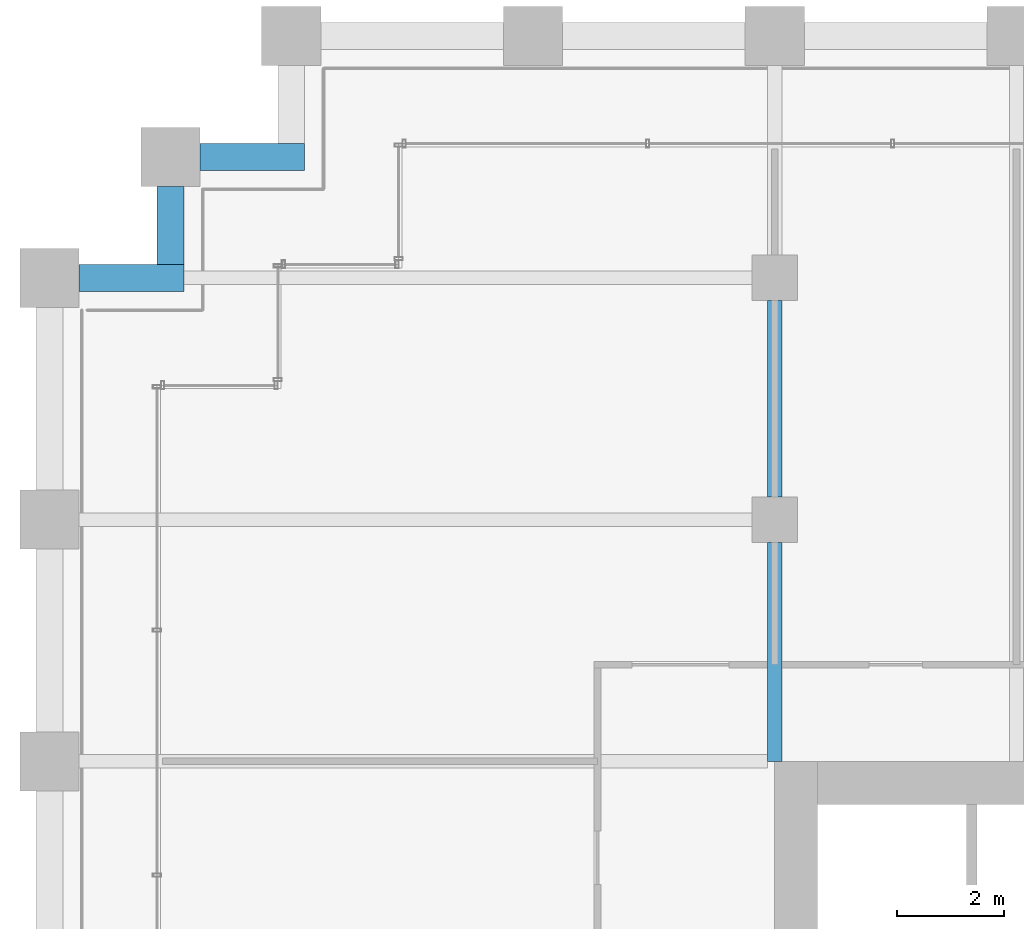
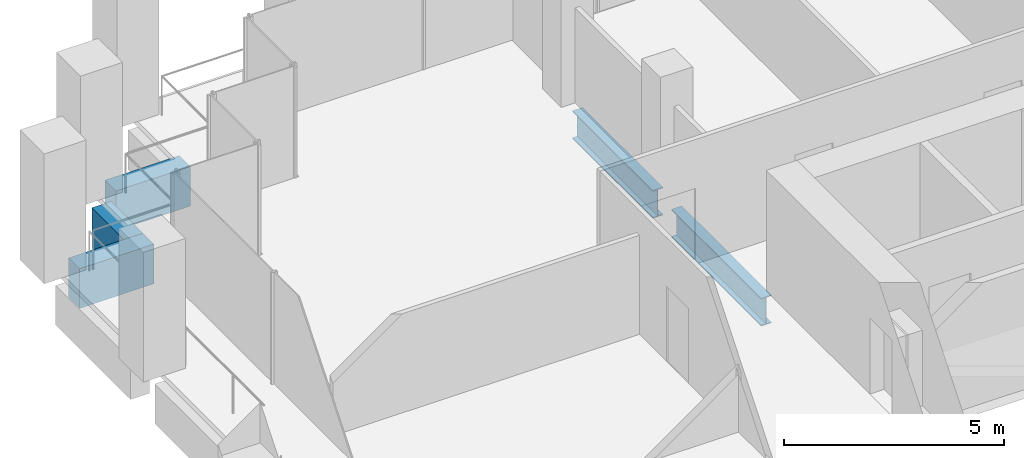
# One storey, part 25 of 56: 5 beams.
"""IFC4 building model written with IfcOpenShell, lengths in metres."""

import ifcopenshell
import ifcopenshell.guid

model = None  # the IFC model being written
_history = None  # IfcOwnerHistory: only IFC2X3 demands one
_inside = {}  # id of a spatial element -> (the spatial element, [elements in it])
_under = {}  # id of a project, library or spatial element -> (it, [spatial elements below it])
_declared = {}  # id of a project -> (the project, [libraries it declares])
_typed = {}  # id of a type object -> (the type object, [elements of that type])
_made_of = {}  # id of a material, layer set ... -> (it, [elements and type objects made of it])


def new_model(schema):
    """Start an empty IFC model of exactly this schema.

    Asked for "IFC4X3", IfcOpenShell would pick the latest addendum, in which some entities
    have other attributes; the version numbers below select the first issue.
    IFC2X3 requires an IfcOwnerHistory on every rooted entity: one is made here for all.
    """
    global model, _history
    if schema == "IFC4X3":
        model = ifcopenshell.file(schema_version=(4, 3, 0, 0))
    else:
        model = ifcopenshell.file(schema=schema)
    _inside.clear()
    _under.clear()
    _declared.clear()
    _typed.clear()
    _made_of.clear()
    _history = None
    if model.schema == "IFC2X3":
        org = make("IfcOrganization", Name="unknown")
        user = make(
            "IfcPersonAndOrganization",
            ThePerson=make("IfcPerson", FamilyName="unknown"),
            TheOrganization=org,
        )
        app = make(
            "IfcApplication",
            ApplicationDeveloper=org,
            Version="unknown",
            ApplicationFullName="unknown",
            ApplicationIdentifier="unknown",
        )
        _history = make(
            "IfcOwnerHistory",
            OwningUser=user,
            OwningApplication=app,
            ChangeAction="ADDED",
            CreationDate=0,
        )
    return model


def make(cls, **values):
    """One entity of the class cls with the attributes given. An attribute that is None is left unset."""
    return model.create_entity(
        cls, **{name: value for name, value in values.items() if value is not None}
    )


def rooted(cls, **values):
    """An entity with a GlobalId (a new one), such as an element, a storey or a relation."""
    return make(cls, GlobalId=ifcopenshell.guid.new(), OwnerHistory=_history, **values)


def si_unit(unit_type, name, prefix=None):
    """IfcSIUnit, for example si_unit("LENGTHUNIT", "METRE", prefix="MILLI")."""
    return make("IfcSIUnit", UnitType=unit_type, Prefix=prefix, Name=name)


def assignment(units):
    """IfcUnitAssignment: the units of a project."""
    return None if units is None else make("IfcUnitAssignment", Units=units)


def point(xyz):
    """IfcCartesianPoint."""
    return None if xyz is None else make("IfcCartesianPoint", Coordinates=xyz)


def direction(xyz):
    """IfcDirection."""
    return None if xyz is None else make("IfcDirection", DirectionRatios=xyz)


def frame(location, z_axis=None, x_axis=None):
    """IfcAxis2Placement3D, a coordinate frame: its origin and axes. An axis left out is left unset."""
    return make(
        "IfcAxis2Placement3D",
        Location=point(location),
        Axis=direction(z_axis),
        RefDirection=direction(x_axis),
    )


def frame_2d(location, x_axis=None):
    """IfcAxis2Placement2D, a coordinate frame in the plane: its origin and x axis."""
    return make(
        "IfcAxis2Placement2D", Location=point(location), RefDirection=direction(x_axis)
    )


def origin():
    """The frame at (0, 0, 0) with its axes left unset."""
    return frame((0.0, 0.0, 0.0))


def origin_2d():
    """The frame at (0, 0) in the plane with its x axis left unset."""
    return frame_2d((0.0, 0.0))


def place(relative_to, where):
    """IfcLocalPlacement: puts the frame where relative to a parent placement (None: the world)."""
    return make(
        "IfcLocalPlacement", PlacementRelTo=relative_to, RelativePlacement=where
    )


def context(
    kind, dimensions, precision=None, world=None, true_north=None, identifier=None
):
    """IfcGeometricRepresentationContext, for example the 3D "Model" context."""
    return make(
        "IfcGeometricRepresentationContext",
        ContextIdentifier=identifier,
        ContextType=kind,
        CoordinateSpaceDimension=dimensions,
        Precision=precision,
        WorldCoordinateSystem=world,
        TrueNorth=true_north,
    )


def subcontext(parent, identifier, kind, view, scale=None):
    """IfcGeometricRepresentationSubContext, for example "Body" below "Model"."""
    return make(
        "IfcGeometricRepresentationSubContext",
        ContextIdentifier=identifier,
        ContextType=kind,
        ParentContext=parent,
        TargetScale=scale,
        TargetView=view,
    )


def project(units=None, contexts=None):
    """IfcProject with its units and contexts."""
    return rooted(
        "IfcProject",
        Name="project",
        RepresentationContexts=contexts,
        UnitsInContext=assignment(units),
    )


def spatial(cls, under=None, at=None, **own):
    """A site, building, storey or space (cls), placed at a placement, below another one or the project."""
    s = rooted(cls, ObjectPlacement=at, **own)
    if under is not None:
        _under.setdefault(under.id(), (under, []))[1].append(s)
    return s


def profile(cls, at=None, kind="AREA", **sizes):
    """A parametric profile (cls). Its sizes go by their IFC names, for example OverallWidth=200.0."""
    return make(cls, ProfileType=kind, Position=at, **sizes)


def rectangle(**sizes):
    """IfcRectangleProfileDef."""
    return profile("IfcRectangleProfileDef", **sizes)


def i_section(**sizes):
    """IfcIShapeProfileDef."""
    return profile("IfcIShapeProfileDef", **sizes)


def extrude(swept, where, along, depth):
    """IfcExtrudedAreaSolid: the profile swept, set in the frame where, extruded along a direction by depth."""
    return make(
        "IfcExtrudedAreaSolid",
        SweptArea=swept,
        Position=where,
        ExtrudedDirection=direction(along),
        Depth=depth,
    )


def shape(context_of_items, identifier, shape_type, items):
    """IfcShapeRepresentation: the items that make up one representation, for example the "Body"."""
    return make(
        "IfcShapeRepresentation",
        ContextOfItems=context_of_items,
        RepresentationIdentifier=identifier,
        RepresentationType=shape_type,
        Items=items,
    )


def material(Name=None, Category=None):
    """IfcMaterial."""
    return make("IfcMaterial", Name=Name, Category=Category)


def material_profile(
    of_material, cross_section, Name=None, Category=None, Priority=None
):
    """IfcMaterialProfile: a cross section and its material."""
    return make(
        "IfcMaterialProfile",
        Name=Name,
        Material=of_material,
        Profile=cross_section,
        Priority=Priority,
        Category=Category,
    )


def profile_set(profiles, Name=None, composite=None):
    """IfcMaterialProfileSet."""
    return make(
        "IfcMaterialProfileSet",
        Name=Name,
        MaterialProfiles=profiles,
        CompositeProfile=composite,
    )


def made_of(thing, what):
    """Note that an element or type object is made of a material, layer set ...; save() writes the relation."""
    if what is not None:
        _made_of.setdefault(what.id(), (what, []))[1].append(thing)
    return thing


def type_object(cls, material=None, **own):
    """A type object (cls), such as IfcWallType, which elements share."""
    return made_of(rooted(cls, **own), material)


def element(
    cls,
    number,
    at=None,
    inside=None,
    cuts=None,
    type_object=None,
    material=None,
    context=None,
    identifier="Body",
    shape_type=None,
    held_by="IfcProductDefinitionShape",
    body=None,
    shapes=None,
    **own,
):
    """One element of the class cls, such as IfcWall. Its Tag is "e" and its number.

    at: its placement. inside: the storey or other place that contains it. cuts: it is an
    opening in that element (IfcRelVoidsElement). A single representation is given by context,
    identifier, shape_type and body (its items); several are given by shapes. held_by: the class
    of the entity that holds the representations. save() writes the other relations.
    """
    e = rooted(cls, Tag="e%d" % number, ObjectPlacement=at, **own)
    if body is not None:
        shapes = [shape(context, identifier, shape_type, body)]
    if shapes is not None:
        e.Representation = make(held_by, Representations=shapes)
    if inside is not None:
        _inside.setdefault(inside.id(), (inside, []))[1].append(e)
    if cuts is not None:
        rooted(
            "IfcRelVoidsElement", RelatingBuildingElement=cuts, RelatedOpeningElement=e
        )
    if type_object is not None:
        _typed.setdefault(type_object.id(), (type_object, []))[1].append(e)
    return made_of(e, material)


def aggregate(whole, parts):
    """IfcRelAggregates: a whole, such as a stair, and the parts it consists of."""
    return rooted("IfcRelAggregates", RelatingObject=whole, RelatedObjects=parts)


def save(model, path):
    """Write the relations noted so far, then the file.

    IfcRelAggregates (storeys below a building ...), IfcRelContainedInSpatialStructure (elements
    in a storey), IfcRelDefinesByType, IfcRelAssociatesMaterial and IfcRelDeclares: one each for
    every whole, place, type object, material and project.
    """
    for whole, parts in _under.values():
        aggregate(whole, parts)
    for where, things in _inside.values():
        rooted(
            "IfcRelContainedInSpatialStructure",
            RelatedElements=things,
            RelatingStructure=where,
        )
    for kind, things in _typed.values():
        rooted("IfcRelDefinesByType", RelatedObjects=things, RelatingType=kind)
    for what, things in _made_of.values():
        rooted("IfcRelAssociatesMaterial", RelatedObjects=things, RelatingMaterial=what)
    for by, libraries in _declared.values():
        rooted("IfcRelDeclares", RelatingContext=by, RelatedDefinitions=libraries)
    model.write(path)


model = new_model("IFC4")

# Units and contexts
model_context = context("Model", 3, precision=1e-05, world=origin(), true_north=direction((0.0, 1.0)))
body_context = subcontext(model_context, "Body", "Model", "MODEL_VIEW")
ifc_project = project(units=[si_unit("LENGTHUNIT", "METRE"), si_unit("AREAUNIT", "SQUARE_METRE"), si_unit("VOLUMEUNIT", "CUBIC_METRE"), si_unit("PLANEANGLEUNIT", "RADIAN"), si_unit("MASSUNIT", "GRAM", prefix="KILO")], contexts=[model_context])

# Site, building, storey
site_placement = place(None, origin())
site = spatial("IfcSite", under=ifc_project, at=site_placement, CompositionType="ELEMENT")
building_placement = place(site_placement, origin())
building = spatial("IfcBuilding", under=site, at=building_placement, Name="Altepetl Exchange Towers", CompositionType="ELEMENT")
storey_placement = place(building_placement, frame((0.0, 0.0, 69.0)))
storey = spatial("IfcBuildingStorey", under=building, at=storey_placement, Name="L16", CompositionType="ELEMENT", Elevation=69.0)

# Beams
ifc_material_1 = material(Name="Steel S355", Category="steel")
ifc_material_profile_1 = material_profile(ifc_material_1, i_section(OverallWidth=0.26806640625, OverallDepth=0.77392578125, WebThickness=0.015380859375, FlangeThickness=0.025390625, at=origin_2d()), Name="W30X132")
ifc_profile_set_1 = profile_set([ifc_material_profile_1], Name="Steel S355")
beam_type_1 = type_object("IfcBeamType", Name="Girder W30X132", PredefinedType="BEAM", material=ifc_profile_set_1)
beam_1_placement = place(storey_placement, frame((40.5, 67.074951171875, -0.537109375), z_axis=(0.0, -1.0, 0.0), x_axis=(1.0, 0.0, 0.0)))
element("IfcBeam", 1, at=beam_1_placement, inside=storey, type_object=beam_type_1, Name="gd:A:L16:004", PredefinedType="BEAM", context=body_context, shape_type="SweptSolid", body=[
    extrude(i_section(OverallWidth=0.26806640625, OverallDepth=0.77392578125, WebThickness=0.015380859375, FlangeThickness=0.025390625, at=origin_2d()), origin(), (0.0, 0.0, 1.0), 3.64990234375),
])
beam_2_placement = place(storey_placement, frame((40.5, 62.574951171875, -0.537109375), z_axis=(0.0, -1.0, 0.0), x_axis=(1.0, 0.0, 0.0)))
element("IfcBeam", 2, at=beam_2_placement, inside=storey, type_object=beam_type_1, Name="gd:A:L16:005", PredefinedType="BEAM", context=body_context, shape_type="SweptSolid", body=[
    extrude(i_section(OverallWidth=0.26806640625, OverallDepth=0.77392578125, WebThickness=0.015380859375, FlangeThickness=0.025390625, at=origin_2d()), origin(), (0.0, 0.0, 1.0), 4.074951171875),
])
ifc_material_2 = material(Name="Concrete C50/60 precast with tezontle facing", Category="concrete")
ifc_material_profile_2 = material_profile(ifc_material_2, rectangle(XDim=0.5, YDim=1.10009765625, at=origin_2d()), Name="500 x 1100")
ifc_profile_set_2 = profile_set([ifc_material_profile_2], Name="Concrete C50/60 precast with tezontle facing")
beam_type_2 = type_object("IfcBeamType", Name="Spandrel beam 500x1100 tezontle", PredefinedType="SPANDREL", material=ifc_profile_set_2)
beam_3_placement = place(storey_placement, frame((31.75, 69.75, -0.699951171875), z_axis=(-1.0, 0.0, 0.0), x_axis=(0.0, -1.0, 0.0)))
element("IfcBeam", 3, at=beam_3_placement, inside=storey, type_object=beam_type_2, Name="sp:A:L16:033", PredefinedType="SPANDREL", context=body_context, shape_type="SweptSolid", body=[
    extrude(rectangle(XDim=0.5, YDim=1.10009765625, at=origin_2d()), origin(), (0.0, 0.0, 1.0), 1.949951171875),
])
beam_4_placement = place(storey_placement, frame((29.25, 69.199951171875, -0.699951171875), z_axis=(0.0, -1.0, 0.0), x_axis=(1.0, 0.0, 0.0)))
element("IfcBeam", 4, at=beam_4_placement, inside=storey, type_object=beam_type_2, Name="sp:A:L16:034", PredefinedType="SPANDREL", context=body_context, shape_type="SweptSolid", body=[
    extrude(rectangle(XDim=0.5, YDim=1.10009765625, at=origin_2d()), origin(), (0.0, 0.0, 1.0), 1.449951171875),
])
beam_5_placement = place(storey_placement, frame((29.5, 67.5, -0.699951171875), z_axis=(-1.0, 0.0, 0.0), x_axis=(0.0, -1.0, 0.0)))
element("IfcBeam", 5, at=beam_5_placement, inside=storey, type_object=beam_type_2, Name="sp:A:L16:035", PredefinedType="SPANDREL", context=body_context, shape_type="SweptSolid", body=[
    extrude(rectangle(XDim=0.5, YDim=1.10009765625, at=origin_2d()), origin(), (0.0, 0.0, 1.0), 1.949951171875),
])

save(model, "model.ifc")
